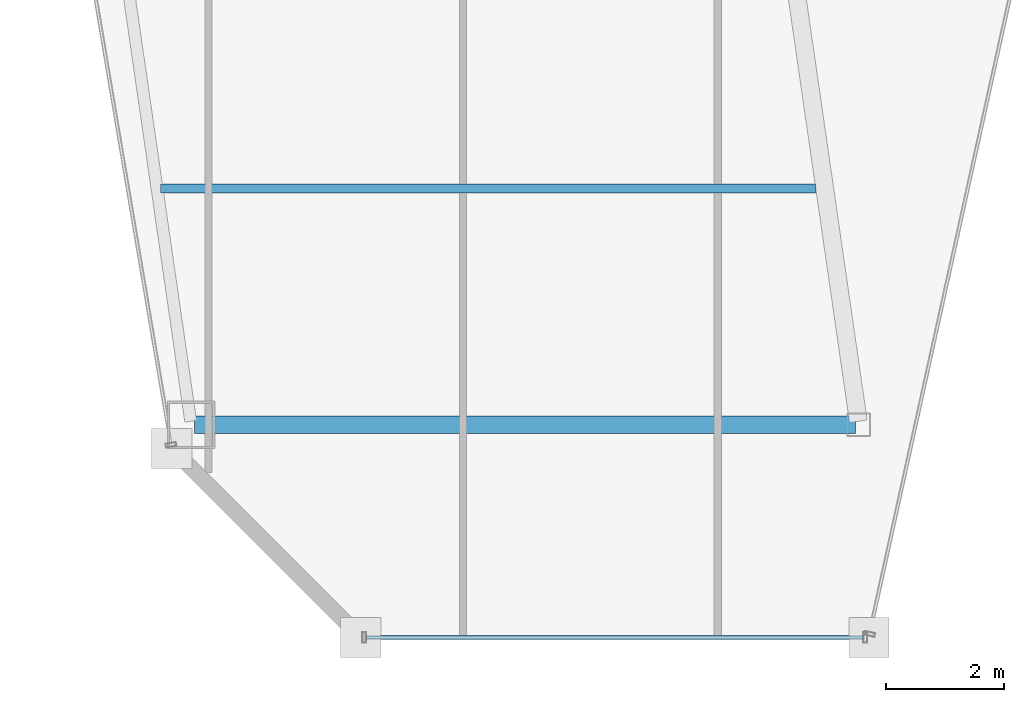
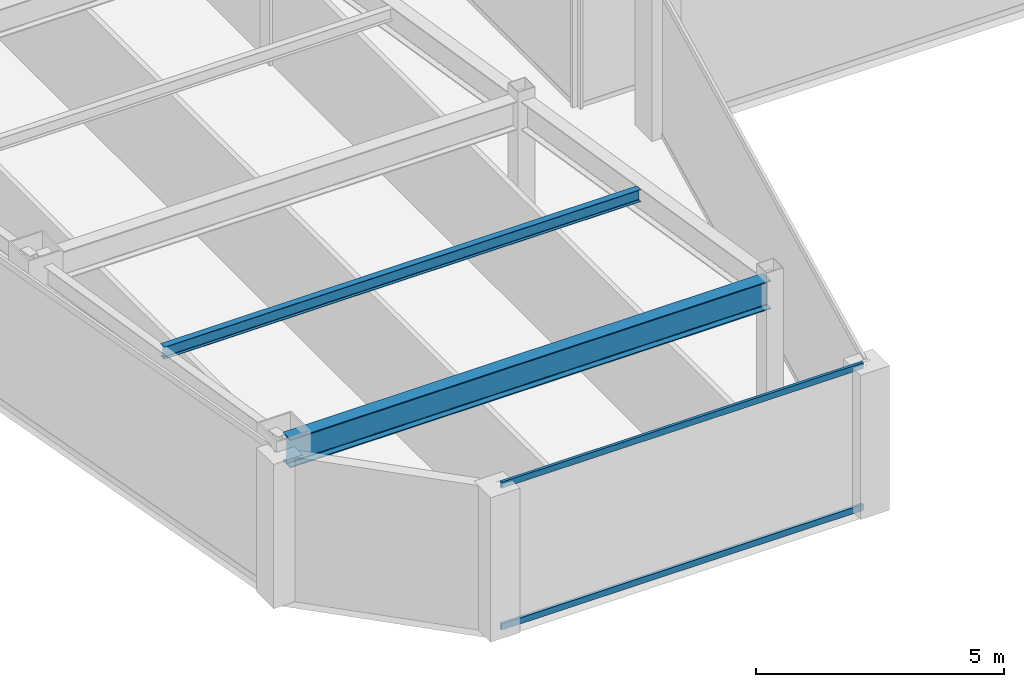
# One storey, part 4 of 35: 2 beams, 2 members, 1 element without a shape of its own.
"""IFC4 building model written with IfcOpenShell, lengths in metres."""

from ifc_helpers import new_model, si_unit, direction, frame, origin, origin_2d, place, context, subcontext, project, spatial, hollow_rectangle, i_section, extrude, material, material_profile, profile_set, type_object, element, aggregate, save


model = new_model("IFC4")

# Units and contexts
model_context = context("Model", 3, precision=1e-05, world=origin(), true_north=direction((0.0, 1.0)))
body_context = subcontext(model_context, "Body", "Model", "MODEL_VIEW")
ifc_project = project(units=[si_unit("LENGTHUNIT", "METRE"), si_unit("AREAUNIT", "SQUARE_METRE"), si_unit("VOLUMEUNIT", "CUBIC_METRE"), si_unit("PLANEANGLEUNIT", "RADIAN"), si_unit("MASSUNIT", "GRAM", prefix="KILO")], contexts=[model_context])

# Site, building, storey
site_placement = place(None, origin())
site = spatial("IfcSite", under=ifc_project, at=site_placement, CompositionType="ELEMENT")
building_placement = place(site_placement, origin())
building = spatial("IfcBuilding", under=site, at=building_placement, Name="Saevonmaru Cultural Tower", CompositionType="ELEMENT")
storey_placement = place(building_placement, frame((0.0, 0.0, 194.199951171875)))
storey = spatial("IfcBuildingStorey", under=building, at=storey_placement, Name="L44", CompositionType="ELEMENT", Elevation=194.199951171875)

# Beams
ifc_material_1 = material(Name="Steel SM355", Category="steel")
ifc_material_profile_1 = material_profile(ifc_material_1, i_section(OverallWidth=0.300048828125, OverallDepth=0.699951171875, WebThickness=0.012939453125, FlangeThickness=0.02392578125, FilletRadius=0.02587890625, at=origin_2d()), Name="H-700x300x13x24")
ifc_profile_set_1 = profile_set([ifc_material_profile_1], Name="Steel SM355")
beam_type_1 = type_object("IfcBeamType", Name="BM-G-H700", PredefinedType="BEAM", material=ifc_profile_set_1)
beam_1_placement = place(storey_placement, frame((10.68798828125, 16.0, 3.199951171875), z_axis=(1.0, 0.0, 0.0), x_axis=(0.0, 1.0, 0.0)))
element("IfcBeam", 1, at=beam_1_placement, inside=storey, type_object=beam_type_1, Name="L44 West Wing Transverse Girder 1", PredefinedType="BEAM", context=body_context, shape_type="SweptSolid", body=[
    extrude(i_section(OverallWidth=0.300048828125, OverallDepth=0.699951171875, WebThickness=0.012939453125, FlangeThickness=0.02392578125, FilletRadius=0.02587890625, at=origin_2d()), origin(), (0.0, 0.0, 1.0), 11.179931640625),
])
ifc_material_profile_2 = material_profile(ifc_material_1, i_section(OverallWidth=0.14990234375, OverallDepth=0.300048828125, WebThickness=0.006591796875, FlangeThickness=0.009033203125, FilletRadius=0.012939453125, at=origin_2d()), Name="H-300x150x6.5x9")
ifc_profile_set_2 = profile_set([ifc_material_profile_2], Name="Steel SM355")
beam_type_2 = type_object("IfcBeamType", Name="BM-J-H300", PredefinedType="JOIST", material=ifc_profile_set_2)
beam_2_placement = place(storey_placement, frame((10.110107421875, 20.0, 3.400146484375), z_axis=(1.0, 0.0, 0.0), x_axis=(0.0, 1.0, 0.0)))
element("IfcBeam", 2, at=beam_2_placement, inside=storey, type_object=beam_type_2, Name="L44 West Wing Floor Joist 1", PredefinedType="JOIST", context=body_context, shape_type="SweptSolid", body=[
    extrude(i_section(OverallWidth=0.14990234375, OverallDepth=0.300048828125, WebThickness=0.006591796875, FlangeThickness=0.009033203125, FilletRadius=0.012939453125, at=origin_2d()), origin(), (0.0, 0.0, 1.0), 11.081787109375),
])

# Curtain wall, members
ifc_material_2 = material(Name="Satin Bronze Anodised Aluminium", Category="aluminium")
curtain_wall_type = type_object("IfcCurtainWallType", Name="CW-TYP-B", PredefinedType="NOTDEFINED", material=ifc_material_2)
curtain_wall_placement = place(storey_placement, origin())
curtain_wall = element("IfcCurtainWall", 3, at=curtain_wall_placement, inside=storey, type_object=curtain_wall_type, Name="L44 Unitised Curtain Wall E2", PredefinedType="NOTDEFINED")
ifc_material_profile_3 = material_profile(ifc_material_2, hollow_rectangle(XDim=0.06494140625, YDim=0.14990234375, WallThickness=0.00390625, at=origin_2d()), Name="ALU-TRAN-150x65x4")
ifc_profile_set_3 = profile_set([ifc_material_profile_3], Name="Satin Bronze Anodised Aluminium")
member_type = type_object("IfcMemberType", Name="TR-CW-150x65", PredefinedType="USERDEFINED", material=ifc_profile_set_3)
member_1_placement = place(storey_placement, frame((13.59033203125, 12.39990234375, 0.032470703125), z_axis=(1.0, 0.0, 0.0), x_axis=(0.0, 1.0, 0.0)))
member_1 = element("IfcMember", 4, at=member_1_placement, type_object=member_type, Name="CW-TW-L44-E2 transom 1.1", ObjectType="TRANSOM", PredefinedType="USERDEFINED", context=body_context, shape_type="SweptSolid", body=[
    extrude(hollow_rectangle(XDim=0.06494140625, YDim=0.14990234375, WallThickness=0.00390625, at=origin_2d()), origin(), (0.0, 0.0, 1.0), 8.4150390625),
])
member_2_placement = place(storey_placement, frame((13.59033203125, 12.39990234375, 3.517578125), z_axis=(1.0, 0.0, 0.0), x_axis=(0.0, 1.0, 0.0)))
member_2 = element("IfcMember", 5, at=member_2_placement, type_object=member_type, Name="CW-TW-L44-E2 transom 1.2", ObjectType="TRANSOM", PredefinedType="USERDEFINED", context=body_context, shape_type="SweptSolid", body=[
    extrude(hollow_rectangle(XDim=0.06494140625, YDim=0.14990234375, WallThickness=0.00390625, at=origin_2d()), origin(), (0.0, 0.0, 1.0), 8.4150390625),
])
aggregate(curtain_wall, [member_1, member_2])

save(model, "model.ifc")
